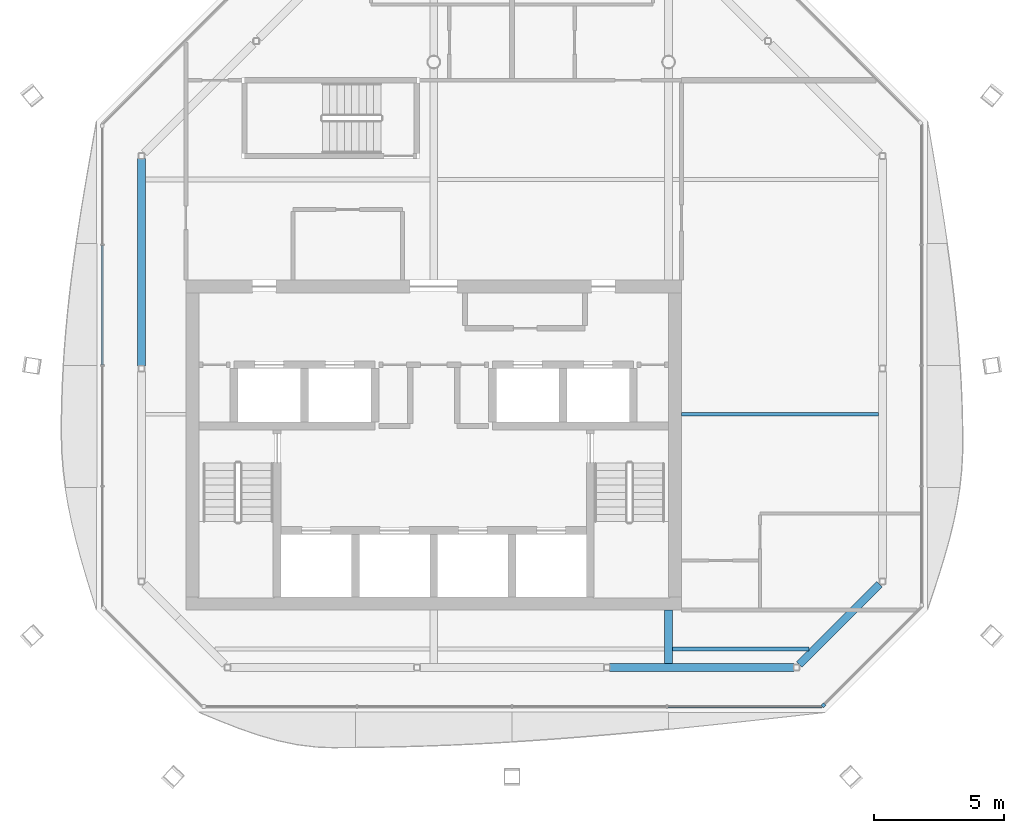
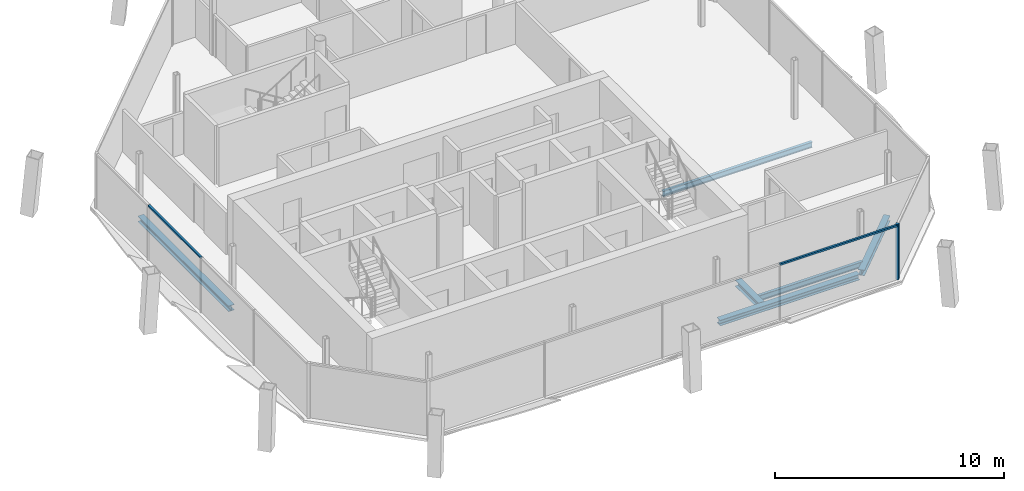
# One storey, part 4 of 13: 6 beams, 3 members, 3 elements without a shape of their own.
"""IFC4 building model written with IfcOpenShell, lengths in metres."""

from ifc_helpers import new_model, si_unit, direction, frame, origin, origin_2d, place, context, subcontext, project, spatial, rectangle, i_section, extrude, material, material_profile, profile_set, type_object, element, aggregate, save


model = new_model("IFC4")

# Units and contexts
model_context = context("Model", 3, precision=1e-05, world=origin(), true_north=direction((0.0, 1.0)))
body_context = subcontext(model_context, "Body", "Model", "MODEL_VIEW")
ifc_project = project(units=[si_unit("LENGTHUNIT", "METRE"), si_unit("AREAUNIT", "SQUARE_METRE"), si_unit("VOLUMEUNIT", "CUBIC_METRE"), si_unit("PLANEANGLEUNIT", "RADIAN"), si_unit("MASSUNIT", "GRAM", prefix="KILO")], contexts=[model_context])

# Site, building, storey
site_placement = place(None, origin())
site = spatial("IfcSite", under=ifc_project, at=site_placement, CompositionType="ELEMENT")
building_placement = place(site_placement, origin())
building = spatial("IfcBuilding", under=site, at=building_placement, Name="Tskaro Facet Tower", CompositionType="ELEMENT")
storey_placement = place(building_placement, frame((0.0, 0.0, 284.699951171875)))
storey = spatial("IfcBuildingStorey", under=building, at=storey_placement, Name="L76", CompositionType="ELEMENT", Elevation=284.699951171875)

# Curtain wall, member
ifc_material_1 = material(Name="Bronze anodised aluminium 6063-T6", Category="aluminium")
curtain_wall_type = type_object("IfcCurtainWallType", Name="Bronze residence curtain wall (FW3)", PredefinedType="NOTDEFINED", material=ifc_material_1)
curtain_wall_1_placement = place(storey_placement, origin())
curtain_wall_1 = element("IfcCurtainWall", 1, at=curtain_wall_1_placement, inside=storey, type_object=curtain_wall_type, Name="FW3 south-east facet L76", PredefinedType="NOTDEFINED")
ifc_material_profile_1 = material_profile(ifc_material_1, rectangle(XDim=0.139892578125, YDim=0.139892578125, at=origin_2d()), Name="Corner post 140x140")
ifc_profile_set_1 = profile_set([ifc_material_profile_1], Name="Bronze anodised aluminium 6063-T6")
member_type_1 = type_object("IfcMemberType", Name="FW3 bronze corner post 140x140", PredefinedType="MULLION", material=ifc_profile_set_1)
member_1_placement = place(storey_placement, frame((14.9365234375, -15.6484375, 0.0), z_axis=(0.0, 0.0, 1.0), x_axis=(0.707106781187, 0.707106781187, 0.0)))
member_1 = element("IfcMember", 2, at=member_1_placement, type_object=member_type_1, Name="FW3 south-east corner post", PredefinedType="MULLION", context=body_context, shape_type="SweptSolid", body=[
    extrude(rectangle(XDim=0.139892578125, YDim=0.139892578125, at=origin_2d()), origin(), (0.0, 0.0, 1.0), 2.949951171875),
])
aggregate(curtain_wall_1, [member_1])

curtain_wall_2_placement = place(storey_placement, origin())
curtain_wall_2 = element("IfcCurtainWall", 3, at=curtain_wall_2_placement, inside=storey, type_object=curtain_wall_type, Name="FW3 south facet L76", PredefinedType="NOTDEFINED")
ifc_material_profile_2 = material_profile(ifc_material_1, rectangle(XDim=0.10009765625, YDim=0.090087890625, at=origin_2d()), Name="Transom 100x90")
ifc_profile_set_2 = profile_set([ifc_material_profile_2], Name="Bronze anodised aluminium 6063-T6")
member_type_2 = type_object("IfcMemberType", Name="FW3 bronze transom 100x90", PredefinedType="USERDEFINED", material=ifc_profile_set_2)
member_2_placement = place(storey_placement, frame((8.968505859375, -15.697998046875, 2.905029296875), z_axis=(1.0, 0.0, 0.0), x_axis=(0.0, 1.0, 0.0)))
member_2 = element("IfcMember", 4, at=member_2_placement, type_object=member_type_2, Name="FW3 south transom 4.1", ObjectType="TRANSOM", PredefinedType="USERDEFINED", context=body_context, shape_type="SweptSolid", body=[
    extrude(rectangle(XDim=0.10009765625, YDim=0.090087890625, at=origin_2d()), origin(), (0.0, 0.0, 1.0), 5.91845703125),
])
aggregate(curtain_wall_2, [member_2])

curtain_wall_3_placement = place(storey_placement, origin())
curtain_wall_3 = element("IfcCurtainWall", 5, at=curtain_wall_3_placement, inside=storey, type_object=curtain_wall_type, Name="FW3 west facet L76", PredefinedType="NOTDEFINED")
member_3_placement = place(storey_placement, frame((-12.697998046875, 1.97265625, 2.905029296875), z_axis=(0.0, -1.0, 0.0), x_axis=(1.0, 0.0, 0.0)))
member_3 = element("IfcMember", 6, at=member_3_placement, type_object=member_type_2, Name="FW3 west transom 2.1", ObjectType="TRANSOM", PredefinedType="USERDEFINED", context=body_context, shape_type="SweptSolid", body=[
    extrude(rectangle(XDim=0.10009765625, YDim=0.090087890625, at=origin_2d()), origin(), (0.0, 0.0, 1.0), 4.578125),
])
aggregate(curtain_wall_3, [member_3])

# Beams
ifc_material_2 = material(Name="Steel S355J2", Category="steel")
ifc_material_profile_3 = material_profile(ifc_material_2, i_section(OverallWidth=0.300048828125, OverallDepth=0.300048828125, WebThickness=0.010986328125, FlangeThickness=0.01904296875, FilletRadius=0.027099609375, at=origin_2d()), Name="HE 300 B")
ifc_profile_set_3 = profile_set([ifc_material_profile_3], Name="Steel S355J2")
beam_type_1 = type_object("IfcBeamType", Name="HE 300 B ring beam", PredefinedType="BEAM", material=ifc_profile_set_3)
beam_1_placement = place(storey_placement, frame((6.739013671875, -14.199951171875, -0.2900390625), z_axis=(1.0, 0.0, 0.0), x_axis=(0.0, 1.0, 0.0)))
element("IfcBeam", 7, at=beam_1_placement, inside=storey, type_object=beam_type_1, Name="HE 300 B EB3-6", PredefinedType="BEAM", context=body_context, shape_type="SweptSolid", body=[
    extrude(i_section(OverallWidth=0.300048828125, OverallDepth=0.300048828125, WebThickness=0.010986328125, FlangeThickness=0.01904296875, FilletRadius=0.027099609375, at=origin_2d()), origin(), (0.0, 0.0, 1.0), 7.05908203125),
])
beam_2_placement = place(storey_placement, frame((14.013916015625, -14.089111328125, -0.2900390625), z_axis=(0.707106781187, 0.707106781187, 0.0), x_axis=(-0.707106781187, 0.707106781187, 0.0)))
element("IfcBeam", 8, at=beam_2_placement, inside=storey, type_object=beam_type_1, Name="HE 300 B EB4-6", PredefinedType="BEAM", context=body_context, shape_type="SweptSolid", body=[
    extrude(i_section(OverallWidth=0.300048828125, OverallDepth=0.300048828125, WebThickness=0.010986328125, FlangeThickness=0.01904296875, FilletRadius=0.027099609375, at=origin_2d()), origin(), (0.0, 0.0, 1.0), 4.348876953125),
])
beam_3_placement = place(storey_placement, frame((-11.199951171875, 5.298095703125, -0.2900390625), z_axis=(0.0, -1.0, 0.0), x_axis=(1.0, 0.0, 0.0)))
element("IfcBeam", 9, at=beam_3_placement, inside=storey, type_object=beam_type_1, Name="HE 300 B EB13-6", PredefinedType="BEAM", context=body_context, shape_type="SweptSolid", body=[
    extrude(i_section(OverallWidth=0.300048828125, OverallDepth=0.300048828125, WebThickness=0.010986328125, FlangeThickness=0.01904296875, FilletRadius=0.027099609375, at=origin_2d()), origin(), (0.0, 0.0, 1.0), 7.943115234375),
])
ifc_material_profile_4 = material_profile(ifc_material_2, i_section(OverallWidth=0.300048828125, OverallDepth=0.330078125, WebThickness=0.009521484375, FlangeThickness=0.0166015625, FilletRadius=0.027099609375, at=origin_2d()), Name="HE 340 A")
ifc_profile_set_4 = profile_set([ifc_material_profile_4], Name="Steel S355J2")
beam_type_2 = type_object("IfcBeamType", Name="HE 340 A girder", PredefinedType="BEAM", material=ifc_profile_set_4)
beam_4_placement = place(storey_placement, frame((9.0, -14.050048828125, -0.304931640625), z_axis=(0.0, 1.0, 0.0), x_axis=(-1.0, 0.0, 0.0)))
element("IfcBeam", 10, at=beam_4_placement, inside=storey, type_object=beam_type_2, Name="HE 340 A GB5-1-6", PredefinedType="BEAM", context=body_context, shape_type="SweptSolid", body=[
    extrude(i_section(OverallWidth=0.300048828125, OverallDepth=0.330078125, WebThickness=0.009521484375, FlangeThickness=0.0166015625, FilletRadius=0.027099609375, at=origin_2d()), origin(), (0.0, 0.0, 1.0), 2.050048828125),
])
ifc_material_profile_5 = material_profile(ifc_material_2, i_section(OverallWidth=0.14990234375, OverallDepth=0.300048828125, WebThickness=0.007080078125, FlangeThickness=0.0107421875, FilletRadius=0.014892578125, at=origin_2d()), Name="IPE 300")
ifc_profile_set_5 = profile_set([ifc_material_profile_5], Name="Steel S355J2")
beam_type_3 = type_object("IfcBeamType", Name="IPE 300 secondary beam", PredefinedType="BEAM", material=ifc_profile_set_5)
beam_5_placement = place(storey_placement, frame((9.14990234375, -13.5, -0.2900390625), z_axis=(1.0, 0.0, 0.0), x_axis=(0.0, 1.0, 0.0)))
element("IfcBeam", 11, at=beam_5_placement, inside=storey, type_object=beam_type_3, Name="IPE 300 SB2a-3-6", PredefinedType="BEAM", context=body_context, shape_type="SweptSolid", body=[
    extrude(i_section(OverallWidth=0.14990234375, OverallDepth=0.300048828125, WebThickness=0.007080078125, FlangeThickness=0.0107421875, FilletRadius=0.014892578125, at=origin_2d()), origin(), (0.0, 0.0, 1.0), 5.2412109375),
])
beam_6_placement = place(storey_placement, frame((9.5, -4.5, -0.2900390625), z_axis=(1.0, 0.0, 0.0), x_axis=(0.0, 1.0, 0.0)))
element("IfcBeam", 12, at=beam_6_placement, inside=storey, type_object=beam_type_3, Name="IPE 300 SB3a-2-6", PredefinedType="BEAM", context=body_context, shape_type="SweptSolid", body=[
    extrude(i_section(OverallWidth=0.14990234375, OverallDepth=0.300048828125, WebThickness=0.007080078125, FlangeThickness=0.0107421875, FilletRadius=0.014892578125, at=origin_2d()), origin(), (0.0, 0.0, 1.0), 7.550048828125),
])

save(model, "model.ifc")
